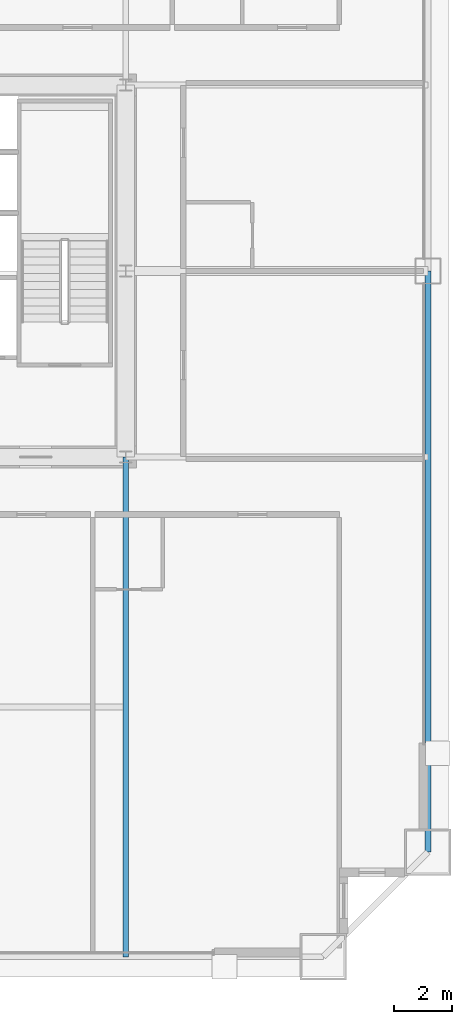
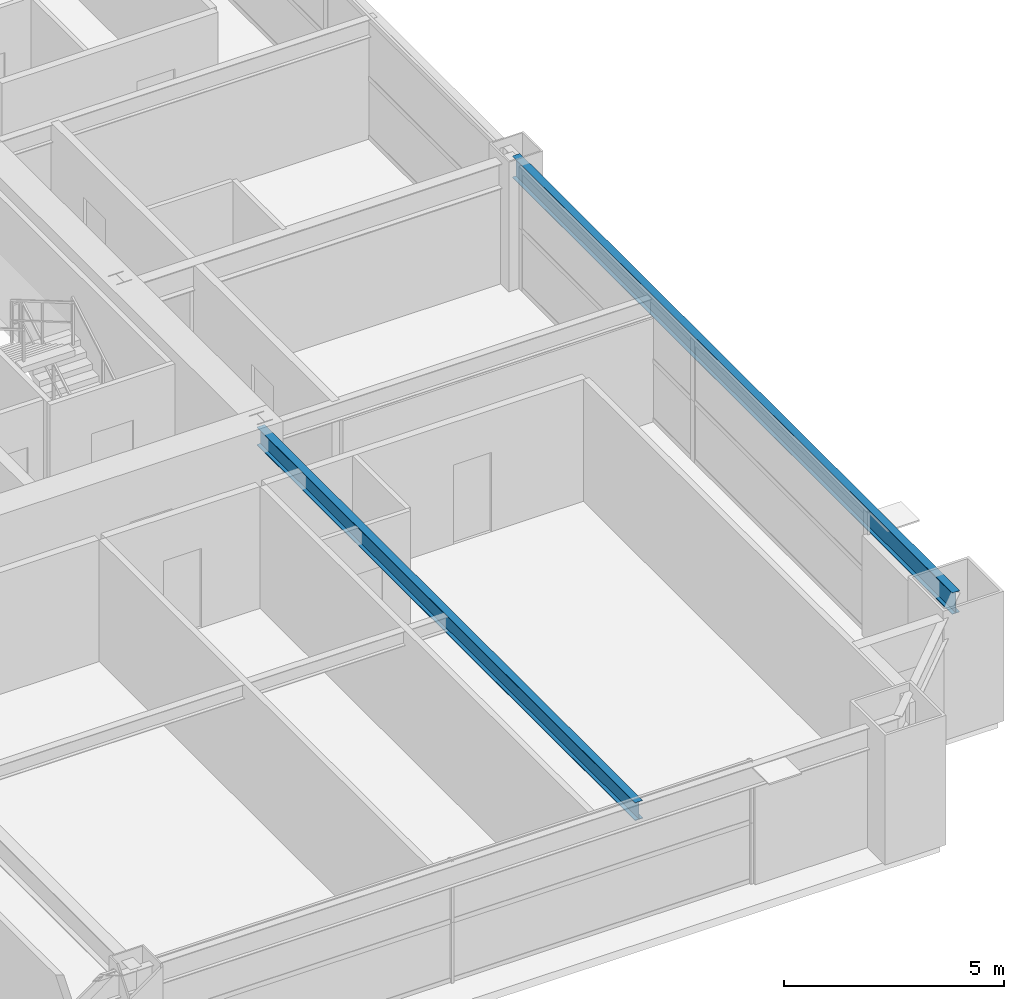
# One storey, part 17 of 39: 2 beams.
"""IFC4 building model written with IfcOpenShell, lengths in metres."""

from ifc_helpers import new_model, si_unit, direction, frame, origin, origin_2d, place, context, subcontext, project, spatial, i_section, extrude, source, transform, mapped, material, material_profile, profile_set, type_object, element, save


model = new_model("IFC4")

# Units and contexts
model_context = context("Model", 3, precision=1e-05, world=origin(), true_north=direction((0.0, 1.0)))
body_context = subcontext(model_context, "Body", "Model", "MODEL_VIEW")
ifc_project = project(units=[si_unit("LENGTHUNIT", "METRE"), si_unit("AREAUNIT", "SQUARE_METRE"), si_unit("VOLUMEUNIT", "CUBIC_METRE"), si_unit("PLANEANGLEUNIT", "RADIAN"), si_unit("MASSUNIT", "GRAM", prefix="KILO"), si_unit("THERMODYNAMICTEMPERATUREUNIT", "KELVIN"), si_unit("POWERUNIT", "WATT")], contexts=[model_context])

# Site, building, storey
site_placement = place(None, origin())
site = spatial("IfcSite", under=ifc_project, at=site_placement, CompositionType="ELEMENT")
building_placement = place(site_placement, origin())
building = spatial("IfcBuilding", under=site, at=building_placement, Name="Yuzanri Waterfront Tower", CompositionType="ELEMENT")
storey_placement = place(building_placement, frame((0.0, 0.0, 148.800048828125)))
storey = spatial("IfcBuildingStorey", under=building, at=storey_placement, Name="L39", CompositionType="ELEMENT", Elevation=148.800048828125)

# Beams
ifc_material_1 = material(Name="Steel Q355B", Category="steel")
ifc_material_profile_1 = material_profile(ifc_material_1, i_section(OverallWidth=0.199951171875, OverallDepth=0.60009765625, WebThickness=0.010986328125, FlangeThickness=0.01708984375, at=origin_2d()), Name="HN 600x200x11x17")
ifc_profile_set_1 = profile_set([ifc_material_profile_1], Name="Steel Q355B")
beam_type_1 = type_object("IfcBeamType", Name="Perimeter Spandrel Q355B HN 600x200", PredefinedType="SPANDREL", material=ifc_profile_set_1)
shared_shape_1 = source(origin(), body_context, "Body", "SweptSolid", [
    extrude(i_section(OverallWidth=0.199951171875, OverallDepth=0.60009765625, WebThickness=0.010986328125, FlangeThickness=0.01708984375, at=origin_2d()), origin(), (0.0, 0.0, 1.0), 20.0),
])
beam_1_placement = place(storey_placement, frame((60.60009765625, 5.800048828125, 3.079833984375), z_axis=(0.0, 1.0, 0.0), x_axis=(-1.0, 0.0, 0.0)))
element("IfcBeam", 1, at=beam_1_placement, inside=storey, type_object=beam_type_1, Name="L39 Perimeter Spandrel E1-E2", PredefinedType="SPANDREL", context=body_context, shape_type="MappedRepresentation", body=[
    mapped(shared_shape_1, transform((0.0, 0.0, 0.0), scale=1.0)),
])
ifc_material_2 = material(Name="Steel Q355B", Category="steel")
ifc_material_profile_2 = material_profile(ifc_material_2, i_section(OverallWidth=0.199951171875, OverallDepth=0.5, WebThickness=0.010009765625, FlangeThickness=0.01611328125, at=origin_2d()), Name="HN 500x200x10x16")
ifc_profile_set_2 = profile_set([ifc_material_profile_2], Name="Steel Q355B")
beam_type_2 = type_object("IfcBeamType", Name="Secondary Floor Beam Q355B HN 500x200", PredefinedType="BEAM", material=ifc_profile_set_2)
shared_shape_2 = source(origin(), body_context, "Body", "SweptSolid", [
    extrude(i_section(OverallWidth=0.199951171875, OverallDepth=0.5, WebThickness=0.010009765625, FlangeThickness=0.01611328125, at=origin_2d()), origin(), (0.0, 0.0, 1.0), 17.199951171875),
])
beam_2_placement = place(storey_placement, frame((50.199951171875, 19.39990234375, 3.1298828125), z_axis=(0.0, -1.0, 0.0), x_axis=(1.0, 0.0, 0.0)))
element("IfcBeam", 2, at=beam_2_placement, inside=storey, type_object=beam_type_2, Name="L39 South-East Core Line Beam", PredefinedType="BEAM", context=body_context, shape_type="MappedRepresentation", body=[
    mapped(shared_shape_2, transform((0.0, 0.0, 0.0), scale=1.0)),
])

save(model, "model.ifc")
